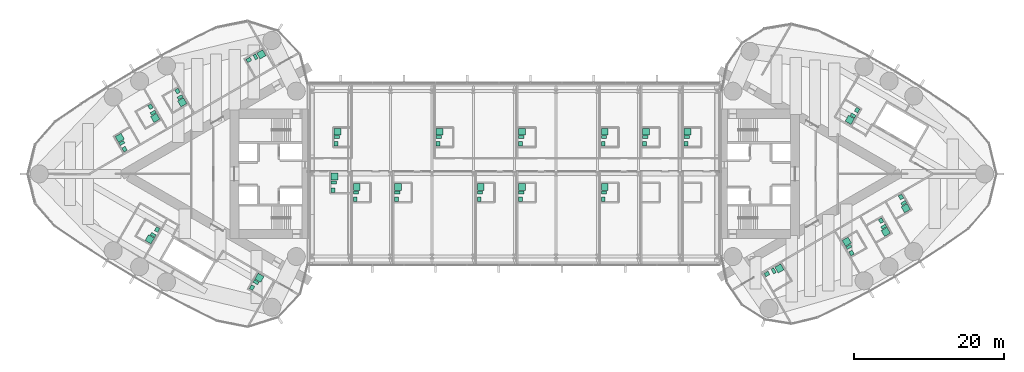
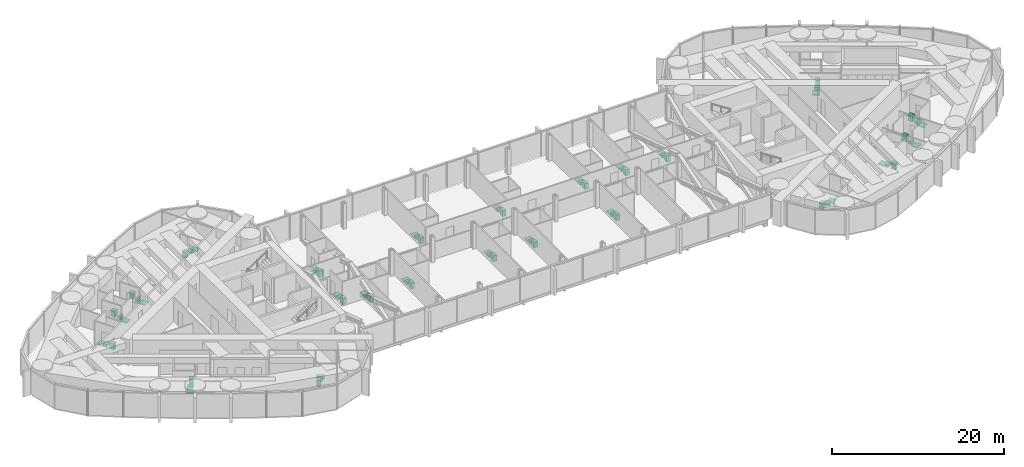
# One storey, part 23 of 23: 29 sanitary terminals.
"""IFC4 building model written with IfcOpenShell, lengths in metres."""

from ifc_helpers import new_model, si_unit, direction, frame, origin, origin_2d, place, context, subcontext, project, spatial, rectangle, extrude, material, type_object, element, save


model = new_model("IFC4")

# Units and contexts
model_context = context("Model", 3, precision=1e-05, world=origin(), true_north=direction((0.0, 1.0)))
body_context = subcontext(model_context, "Body", "Model", "MODEL_VIEW")
ifc_project = project(units=[si_unit("LENGTHUNIT", "METRE"), si_unit("AREAUNIT", "SQUARE_METRE"), si_unit("VOLUMEUNIT", "CUBIC_METRE"), si_unit("PLANEANGLEUNIT", "RADIAN"), si_unit("MASSUNIT", "GRAM", prefix="KILO")], contexts=[model_context])

# Site, building, storey
site_placement = place(None, origin())
site = spatial("IfcSite", under=ifc_project, at=site_placement, CompositionType="ELEMENT")
building_placement = place(site_placement, origin())
building = spatial("IfcBuilding", under=site, at=building_placement, Name="Lancet Gate Hotel", CompositionType="ELEMENT")
storey_placement = place(building_placement, frame((0.0, 0.0, 240.5)))
storey = spatial("IfcBuildingStorey", under=building, at=storey_placement, Name="L64", CompositionType="ELEMENT", Elevation=240.5)

# Sanitary terminals
ifc_material_1 = material(Name="Vitreous china sanitary ware")
sanitary_terminal_type_1 = type_object("IfcSanitaryTerminalType", Name="En-suite sanitary set (shower, WC, basin)", PredefinedType="USERDEFINED", material=ifc_material_1)
sanitary_terminal_1_placement = place(storey_placement, frame((-44.22412109375, 9.51708984375, 0.0), z_axis=(0.0, 0.0, 1.0), x_axis=(1.0, 0.0, 0.0)))
element("IfcSanitaryTerminal", 1, at=sanitary_terminal_1_placement, inside=storey, type_object=sanitary_terminal_type_1, Name="En-suite sanitary set (shower, WC, basin) 6403", ObjectType="EN-SUITE SANITARY SET", PredefinedType="USERDEFINED", context=body_context, shape_type="SweptSolid", body=[
    extrude(rectangle(XDim=0.89990234375, YDim=0.89990234375, at=origin_2d()), frame((0.0, 0.0, 0.0), z_axis=(0.0, 0.0, 1.0), x_axis=(0.5, -0.866025403784, 0.0)), (0.0, 0.0, 1.0), 0.050048828125),
    extrude(rectangle(XDim=0.39990234375, YDim=0.699951171875, at=origin_2d()), frame((-0.2783203125, 0.682373046875, 0.0), z_axis=(0.0, 0.0, 1.0), x_axis=(0.5, -0.866025403784, 0.0)), (0.0, 0.0, 1.0), 0.39990234375),
    extrude(rectangle(XDim=0.60009765625, YDim=0.5, at=origin_2d()), frame((-0.631591796875, 1.494384765625, 0.0), z_axis=(0.0, 0.0, 1.0), x_axis=(0.5, -0.866025403784, 0.0)), (0.0, 0.0, 1.0), 0.85009765625),
])
sanitary_terminal_2_placement = place(storey_placement, frame((-47.817138671875, 7.442626953125, 0.0), z_axis=(0.0, 0.0, 1.0), x_axis=(1.0, 0.0, 0.0)))
element("IfcSanitaryTerminal", 2, at=sanitary_terminal_2_placement, inside=storey, type_object=sanitary_terminal_type_1, Name="En-suite sanitary set (shower, WC, basin) 6404", ObjectType="EN-SUITE SANITARY SET", PredefinedType="USERDEFINED", context=body_context, shape_type="SweptSolid", body=[
    extrude(rectangle(XDim=0.89990234375, YDim=0.89990234375, at=origin_2d()), frame((0.0, 0.0, 0.0), z_axis=(0.0, 0.0, 1.0), x_axis=(0.5, -0.866025403784, 0.0)), (0.0, 0.0, 1.0), 0.050048828125),
    extrude(rectangle(XDim=0.39990234375, YDim=0.699951171875, at=origin_2d()), frame((-0.278564453125, 0.68212890625, 0.0), z_axis=(0.0, 0.0, 1.0), x_axis=(0.5, -0.866025403784, 0.0)), (0.0, 0.0, 1.0), 0.39990234375),
    extrude(rectangle(XDim=0.60009765625, YDim=0.5, at=origin_2d()), frame((-0.6318359375, 1.494384765625, 0.0), z_axis=(0.0, 0.0, 1.0), x_axis=(0.5, -0.866025403784, 0.0)), (0.0, 0.0, 1.0), 0.85009765625),
])
sanitary_terminal_3_placement = place(storey_placement, frame((-52.531005859375, 4.790283203125, 0.0), z_axis=(0.0, 0.0, 1.0), x_axis=(1.0, 0.0, 0.0)))
element("IfcSanitaryTerminal", 3, at=sanitary_terminal_3_placement, inside=storey, type_object=sanitary_terminal_type_1, Name="En-suite sanitary set (shower, WC, basin) 6405", ObjectType="EN-SUITE SANITARY SET", PredefinedType="USERDEFINED", context=body_context, shape_type="SweptSolid", body=[
    extrude(rectangle(XDim=0.89990234375, YDim=0.89990234375, at=origin_2d()), frame((0.0, 0.0, 0.0), z_axis=(0.0, 0.0, 1.0), x_axis=(-0.5, 0.866025403784, 0.0)), (0.0, 0.0, 1.0), 0.050048828125),
    extrude(rectangle(XDim=0.39990234375, YDim=0.699951171875, at=origin_2d()), frame((0.2783203125, -0.68212890625, 0.0), z_axis=(0.0, 0.0, 1.0), x_axis=(-0.5, 0.866025403784, 0.0)), (0.0, 0.0, 1.0), 0.39990234375),
    extrude(rectangle(XDim=0.60009765625, YDim=0.5, at=origin_2d()), frame((0.631591796875, -1.494384765625, 0.0), z_axis=(0.0, 0.0, 1.0), x_axis=(-0.5, 0.866025403784, 0.0)), (0.0, 0.0, 1.0), 0.85009765625),
])
sanitary_terminal_4_placement = place(storey_placement, frame((-48.547119140625, -8.70703125, 0.0), z_axis=(0.0, 0.0, 1.0), x_axis=(1.0, 0.0, 0.0)))
element("IfcSanitaryTerminal", 4, at=sanitary_terminal_4_placement, inside=storey, type_object=sanitary_terminal_type_1, Name="En-suite sanitary set (shower, WC, basin) 6407", ObjectType="EN-SUITE SANITARY SET", PredefinedType="USERDEFINED", context=body_context, shape_type="SweptSolid", body=[
    extrude(rectangle(XDim=0.89990234375, YDim=0.89990234375, at=origin_2d()), frame((0.0, 0.0, 0.0), z_axis=(0.0, 0.0, 1.0), x_axis=(-0.5, -0.866025403784, 0.0)), (0.0, 0.0, 1.0), 0.050048828125),
    extrude(rectangle(XDim=0.39990234375, YDim=0.699951171875, at=origin_2d()), frame((0.451416015625, 0.582275390625, 0.0), z_axis=(0.0, 0.0, 1.0), x_axis=(-0.5, -0.866025403784, 0.0)), (0.0, 0.0, 1.0), 0.39990234375),
    extrude(rectangle(XDim=0.60009765625, YDim=0.5, at=origin_2d()), frame((0.97802734375, 1.29443359375, 0.0), z_axis=(0.0, 0.0, 1.0), x_axis=(-0.5, -0.866025403784, 0.0)), (0.0, 0.0, 1.0), 0.85009765625),
])
sanitary_terminal_5_placement = place(storey_placement, frame((-33.95654296875, -13.82861328125, 0.0), z_axis=(0.0, 0.0, 1.0), x_axis=(1.0, 0.0, 0.0)))
element("IfcSanitaryTerminal", 5, at=sanitary_terminal_5_placement, inside=storey, type_object=sanitary_terminal_type_1, Name="En-suite sanitary set (shower, WC, basin) 6409", ObjectType="EN-SUITE SANITARY SET", PredefinedType="USERDEFINED", context=body_context, shape_type="SweptSolid", body=[
    extrude(rectangle(XDim=0.89990234375, YDim=0.89990234375, at=origin_2d()), frame((0.0, 0.0, 0.0), z_axis=(0.0, 0.0, 1.0), x_axis=(0.5, 0.866025403784, 0.0)), (0.0, 0.0, 1.0), 0.050048828125),
    extrude(rectangle(XDim=0.39990234375, YDim=0.699951171875, at=origin_2d()), frame((-0.45166015625, -0.582275390625, 0.0), z_axis=(0.0, 0.0, 1.0), x_axis=(0.5, 0.866025403784, 0.0)), (0.0, 0.0, 1.0), 0.39990234375),
    extrude(rectangle(XDim=0.60009765625, YDim=0.5, at=origin_2d()), frame((-0.978271484375, -1.294189453125, 0.0), z_axis=(0.0, 0.0, 1.0), x_axis=(0.5, 0.866025403784, 0.0)), (0.0, 0.0, 1.0), 0.85009765625),
])
sanitary_terminal_6_placement = place(storey_placement, frame((44.203125, -9.029296875, 0.0), z_axis=(0.0, 0.0, 1.0), x_axis=(1.0, 0.0, 0.0)))
element("IfcSanitaryTerminal", 6, at=sanitary_terminal_6_placement, inside=storey, type_object=sanitary_terminal_type_1, Name="En-suite sanitary set (shower, WC, basin) 6453", ObjectType="EN-SUITE SANITARY SET", PredefinedType="USERDEFINED", context=body_context, shape_type="SweptSolid", body=[
    extrude(rectangle(XDim=0.89990234375, YDim=0.89990234375, at=origin_2d()), frame((0.0, 0.0, 0.0), z_axis=(0.0, 0.0, 1.0), x_axis=(-0.5, 0.866025403784, 0.0)), (0.0, 0.0, 1.0), 0.050048828125),
    extrude(rectangle(XDim=0.39990234375, YDim=0.699951171875, at=origin_2d()), frame((0.278564453125, -0.68212890625, 0.0), z_axis=(0.0, 0.0, 1.0), x_axis=(-0.5, 0.866025403784, 0.0)), (0.0, 0.0, 1.0), 0.39990234375),
    extrude(rectangle(XDim=0.60009765625, YDim=0.5, at=origin_2d()), frame((0.6318359375, -1.494140625, 0.0), z_axis=(0.0, 0.0, 1.0), x_axis=(-0.5, 0.866025403784, 0.0)), (0.0, 0.0, 1.0), 0.85009765625),
])
sanitary_terminal_7_placement = place(storey_placement, frame((49.3876953125, -7.7216796875, 0.0), z_axis=(0.0, 0.0, 1.0), x_axis=(1.0, 0.0, 0.0)))
element("IfcSanitaryTerminal", 7, at=sanitary_terminal_7_placement, inside=storey, type_object=sanitary_terminal_type_1, Name="En-suite sanitary set (shower, WC, basin) 6454", ObjectType="EN-SUITE SANITARY SET", PredefinedType="USERDEFINED", context=body_context, shape_type="SweptSolid", body=[
    extrude(rectangle(XDim=0.89990234375, YDim=0.89990234375, at=origin_2d()), frame((0.0, 0.0, 0.0), z_axis=(0.0, 0.0, 1.0), x_axis=(0.5, -0.866025403784, 0.0)), (0.0, 0.0, 1.0), 0.050048828125),
    extrude(rectangle(XDim=0.39990234375, YDim=0.699951171875, at=origin_2d()), frame((-0.278564453125, 0.68212890625, 0.0), z_axis=(0.0, 0.0, 1.0), x_axis=(0.5, -0.866025403784, 0.0)), (0.0, 0.0, 1.0), 0.39990234375),
    extrude(rectangle(XDim=0.60009765625, YDim=0.5, at=origin_2d()), frame((-0.6318359375, 1.494140625, 0.0), z_axis=(0.0, 0.0, 1.0), x_axis=(0.5, -0.866025403784, 0.0)), (0.0, 0.0, 1.0), 0.85009765625),
])
sanitary_terminal_8_placement = place(storey_placement, frame((52.0498046875, -4.568115234375, 0.0), z_axis=(0.0, 0.0, 1.0), x_axis=(1.0, 0.0, 0.0)))
element("IfcSanitaryTerminal", 8, at=sanitary_terminal_8_placement, inside=storey, type_object=sanitary_terminal_type_1, Name="En-suite sanitary set (shower, WC, basin) 6455", ObjectType="EN-SUITE SANITARY SET", PredefinedType="USERDEFINED", context=body_context, shape_type="SweptSolid", body=[
    extrude(rectangle(XDim=0.89990234375, YDim=0.89990234375, at=origin_2d()), frame((0.0, 0.0, 0.0), z_axis=(0.0, 0.0, 1.0), x_axis=(0.5, -0.866025403784, 0.0)), (0.0, 0.0, 1.0), 0.050048828125),
    extrude(rectangle(XDim=0.39990234375, YDim=0.699951171875, at=origin_2d()), frame((-0.2783203125, 0.68212890625, 0.0), z_axis=(0.0, 0.0, 1.0), x_axis=(0.5, -0.866025403784, 0.0)), (0.0, 0.0, 1.0), 0.39990234375),
    extrude(rectangle(XDim=0.60009765625, YDim=0.5, at=origin_2d()), frame((-0.631591796875, 1.494140625, 0.0), z_axis=(0.0, 0.0, 1.0), x_axis=(0.5, -0.866025403784, 0.0)), (0.0, 0.0, 1.0), 0.85009765625),
])
sanitary_terminal_9_placement = place(storey_placement, frame((44.594482421875, 7.186767578125, 0.0), z_axis=(0.0, 0.0, 1.0), x_axis=(1.0, 0.0, 0.0)))
element("IfcSanitaryTerminal", 9, at=sanitary_terminal_9_placement, inside=storey, type_object=sanitary_terminal_type_1, Name="En-suite sanitary set (shower, WC, basin) 6458", ObjectType="EN-SUITE SANITARY SET", PredefinedType="USERDEFINED", context=body_context, shape_type="SweptSolid", body=[
    extrude(rectangle(XDim=0.89990234375, YDim=0.89990234375, at=origin_2d()), frame((0.0, 0.0, 0.0), z_axis=(0.0, 0.0, 1.0), x_axis=(-0.5, -0.866025403784, 0.0)), (0.0, 0.0, 1.0), 0.050048828125),
    extrude(rectangle(XDim=0.39990234375, YDim=0.699951171875, at=origin_2d()), frame((0.451416015625, 0.582275390625, 0.0), z_axis=(0.0, 0.0, 1.0), x_axis=(-0.5, -0.866025403784, 0.0)), (0.0, 0.0, 1.0), 0.39990234375),
    extrude(rectangle(XDim=0.60009765625, YDim=0.5, at=origin_2d()), frame((0.97802734375, 1.29443359375, 0.0), z_axis=(0.0, 0.0, 1.0), x_axis=(-0.5, -0.866025403784, 0.0)), (0.0, 0.0, 1.0), 0.85009765625),
])
for number, where, z_axis, x_axis, name in (
    (10, (-21.0048828125, -1.7451171875, 0.0), (0.0, 0.0, 1.0), (1.0, 0.0, 0.0), "En-suite sanitary set (shower, WC, basin) B6402"),
    (11, (-15.5048828125, -1.7451171875, 0.0), (0.0, 0.0, 1.0), (1.0, 0.0, 0.0), "En-suite sanitary set (shower, WC, basin) B6403"),
    (12, (-4.5048828125, -1.7451171875, 0.0), (0.0, 0.0, 1.0), (1.0, 0.0, 0.0), "En-suite sanitary set (shower, WC, basin) B6405"),
    (13, (0.9951171875, -1.7451171875, 0.0), (0.0, 0.0, 1.0), (1.0, 0.0, 0.0), "En-suite sanitary set (shower, WC, basin) B6406"),
    (14, (11.9951171875, -1.7451171875, 0.0), (0.0, 0.0, 1.0), (1.0, 0.0, 0.0), "En-suite sanitary set (shower, WC, basin) B6408"),
):
    element("IfcSanitaryTerminal", number, at=place(storey_placement, frame(where, z_axis=z_axis, x_axis=x_axis)), inside=storey, type_object=sanitary_terminal_type_1, Name=name, ObjectType="EN-SUITE SANITARY SET", PredefinedType="USERDEFINED", context=body_context, shape_type="SweptSolid", body=[
        extrude(rectangle(XDim=0.89990234375, YDim=0.89990234375, at=origin_2d()), frame((0.0, 0.0, 0.0), z_axis=(0.0, 0.0, 1.0), x_axis=(0.0, 1.0, 0.0)), (0.0, 0.0, 1.0), 0.050048828125),
        extrude(rectangle(XDim=0.39990234375, YDim=0.699951171875, at=origin_2d()), frame((-0.10009765625, -0.72998046875, 0.0), z_axis=(0.0, 0.0, 1.0), x_axis=(0.0, 1.0, 0.0)), (0.0, 0.0, 1.0), 0.39990234375),
        extrude(rectangle(XDim=0.60009765625, YDim=0.5, at=origin_2d()), frame((-0.2001953125, -1.60986328125, 0.0), z_axis=(0.0, 0.0, 1.0), x_axis=(0.0, 1.0, 0.0)), (0.0, 0.0, 1.0), 0.85009765625),
    ])
sanitary_terminal_10_placement = place(storey_placement, frame((-23.554931640625, 5.60498046875, 0.0), z_axis=(0.0, 0.0, 1.0), x_axis=(1.0, 0.0, 0.0)))
element("IfcSanitaryTerminal", 15, at=sanitary_terminal_10_placement, inside=storey, type_object=sanitary_terminal_type_1, Name="En-suite sanitary set (shower, WC, basin) B6411", ObjectType="EN-SUITE SANITARY SET", PredefinedType="USERDEFINED", context=body_context, shape_type="SweptSolid", body=[
    extrude(rectangle(XDim=0.89990234375, YDim=0.89990234375, at=origin_2d()), frame((0.0, 0.0, 0.0), z_axis=(0.0, 0.0, 1.0), x_axis=(0.0, 1.0, 0.0)), (0.0, 0.0, 1.0), 0.050048828125),
    extrude(rectangle(XDim=0.39990234375, YDim=0.699951171875, at=origin_2d()), frame((-0.10009765625, -0.72998046875, 0.0), z_axis=(0.0, 0.0, 1.0), x_axis=(0.0, 1.0, 0.0)), (0.0, 0.0, 1.0), 0.39990234375),
    extrude(rectangle(XDim=0.60009765625, YDim=0.5, at=origin_2d()), frame((-0.199951171875, -1.60986328125, 0.0), z_axis=(0.0, 0.0, 1.0), x_axis=(0.0, 1.0, 0.0)), (0.0, 0.0, 1.0), 0.85009765625),
])
for number, where, z_axis, x_axis, name in (
    (16, (-10.0048828125, 5.60498046875, 0.0), (0.0, 0.0, 1.0), (1.0, 0.0, 0.0), "En-suite sanitary set (shower, WC, basin) B6414"),
    (17, (0.9951171875, 5.60498046875, 0.0), (0.0, 0.0, 1.0), (1.0, 0.0, 0.0), "En-suite sanitary set (shower, WC, basin) B6416"),
    (18, (11.9951171875, 5.60498046875, 0.0), (0.0, 0.0, 1.0), (1.0, 0.0, 0.0), "En-suite sanitary set (shower, WC, basin) B6418"),
    (19, (17.4951171875, 5.60498046875, 0.0), (0.0, 0.0, 1.0), (1.0, 0.0, 0.0), "En-suite sanitary set (shower, WC, basin) B6419"),
    (20, (22.9951171875, 5.60498046875, 0.0), (0.0, 0.0, 1.0), (1.0, 0.0, 0.0), "En-suite sanitary set (shower, WC, basin) B6420"),
):
    element("IfcSanitaryTerminal", number, at=place(storey_placement, frame(where, z_axis=z_axis, x_axis=x_axis)), inside=storey, type_object=sanitary_terminal_type_1, Name=name, ObjectType="EN-SUITE SANITARY SET", PredefinedType="USERDEFINED", context=body_context, shape_type="SweptSolid", body=[
        extrude(rectangle(XDim=0.89990234375, YDim=0.89990234375, at=origin_2d()), frame((0.0, 0.0, 0.0), z_axis=(0.0, 0.0, 1.0), x_axis=(0.0, 1.0, 0.0)), (0.0, 0.0, 1.0), 0.050048828125),
        extrude(rectangle(XDim=0.39990234375, YDim=0.699951171875, at=origin_2d()), frame((-0.10009765625, -0.72998046875, 0.0), z_axis=(0.0, 0.0, 1.0), x_axis=(0.0, 1.0, 0.0)), (0.0, 0.0, 1.0), 0.39990234375),
        extrude(rectangle(XDim=0.60009765625, YDim=0.5, at=origin_2d()), frame((-0.2001953125, -1.60986328125, 0.0), z_axis=(0.0, 0.0, 1.0), x_axis=(0.0, 1.0, 0.0)), (0.0, 0.0, 1.0), 0.85009765625),
    ])
ifc_material_2 = material(Name="Stone resin shower tray", Category="masonry")
sanitary_terminal_type_2 = type_object("IfcSanitaryTerminalType", Name="Shower tray 900", PredefinedType="SHOWER", material=ifc_material_2)
for number, where, z_axis, x_axis, name in (
    (21, (-33.6953125, 15.896240234375, 0.0), (0.0, 0.0, 1.0), (0.866025403784, 0.5, 0.0), "Shower tray 900 6402"),
    (22, (35.2412109375, -12.5869140625, 0.0), (0.0, 0.0, 1.0), (0.866025403784, 0.5, 0.0), "Shower tray 900 6452"),
    (23, (-23.955078125, -0.344970703125, 0.0), (0.0, 0.0, 1.0), (0.0, 1.0, 0.0), "Shower tray 900 B6401"),
):
    element("IfcSanitaryTerminal", number, at=place(storey_placement, frame(where, z_axis=z_axis, x_axis=x_axis)), inside=storey, type_object=sanitary_terminal_type_2, Name=name, PredefinedType="SHOWER", context=body_context, shape_type="SweptSolid", body=[
        extrude(rectangle(XDim=0.89990234375, YDim=0.89990234375, at=origin_2d()), origin(), (0.0, 0.0, 1.0), 0.050048828125),
    ])
ifc_material_3 = material(Name="Vitreous china sanitary ware")
sanitary_terminal_type_3 = type_object("IfcSanitaryTerminalType", Name="Vanity basin 600", PredefinedType="WASHHANDBASIN", material=ifc_material_3)
for number, where, z_axis, x_axis, name in (
    (24, (-35.36279296875, 15.164306640625, 0.0), (0.0, 0.0, 1.0), (0.866025403784, 0.5, 0.0), "Vanity basin 600 6402"),
    (25, (33.57373046875, -13.318603515625, 0.0), (0.0, 0.0, 1.0), (0.866025403784, 0.5, 0.0), "Vanity basin 600 6452"),
    (26, (-24.155029296875, -2.155029296875, 0.0), (0.0, 0.0, 1.0), (0.0, 1.0, 0.0), "Vanity basin 600 B6401"),
):
    element("IfcSanitaryTerminal", number, at=place(storey_placement, frame(where, z_axis=z_axis, x_axis=x_axis)), inside=storey, type_object=sanitary_terminal_type_3, Name=name, PredefinedType="WASHHANDBASIN", context=body_context, shape_type="SweptSolid", body=[
        extrude(rectangle(XDim=0.60009765625, YDim=0.5, at=origin_2d()), origin(), (0.0, 0.0, 1.0), 0.85009765625),
    ])
ifc_material_4 = material(Name="Vitreous china sanitary ware")
sanitary_terminal_type_4 = type_object("IfcSanitaryTerminalType", Name="WC pan wall hung", PredefinedType="TOILETPAN", material=ifc_material_4)
for number, where, z_axis, x_axis, name in (
    (27, (-34.464111328125, 15.56787109375, 0.0), (0.0, 0.0, 1.0), (0.866025403784, 0.5, 0.0), "WC pan wall hung 6402"),
    (28, (34.472412109375, -12.915283203125, 0.0), (0.0, 0.0, 1.0), (0.866025403784, 0.5, 0.0), "WC pan wall hung 6452"),
    (29, (-24.054931640625, -1.175048828125, 0.0), (0.0, 0.0, 1.0), (0.0, 1.0, 0.0), "WC pan wall hung B6401"),
):
    element("IfcSanitaryTerminal", number, at=place(storey_placement, frame(where, z_axis=z_axis, x_axis=x_axis)), inside=storey, type_object=sanitary_terminal_type_4, Name=name, PredefinedType="TOILETPAN", context=body_context, shape_type="SweptSolid", body=[
        extrude(rectangle(XDim=0.39990234375, YDim=0.699951171875, at=origin_2d()), origin(), (0.0, 0.0, 1.0), 0.39990234375),
    ])

save(model, "model.ifc")
